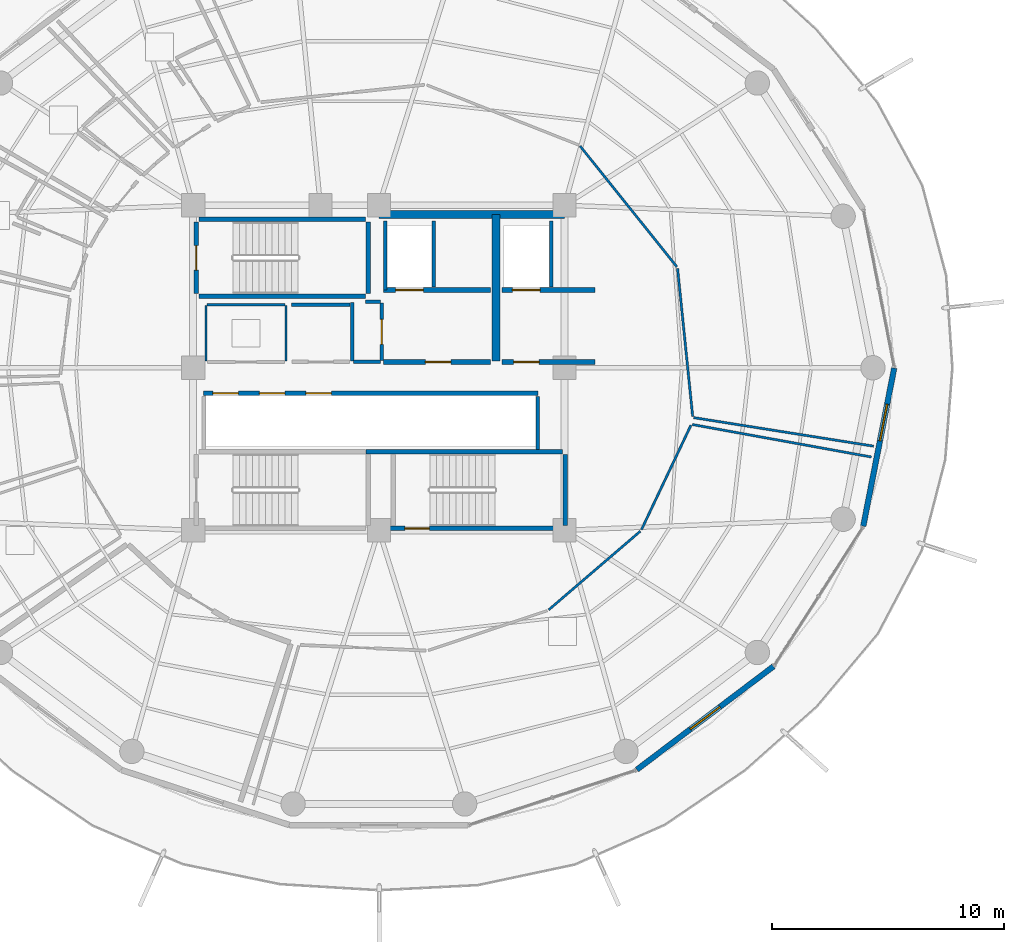
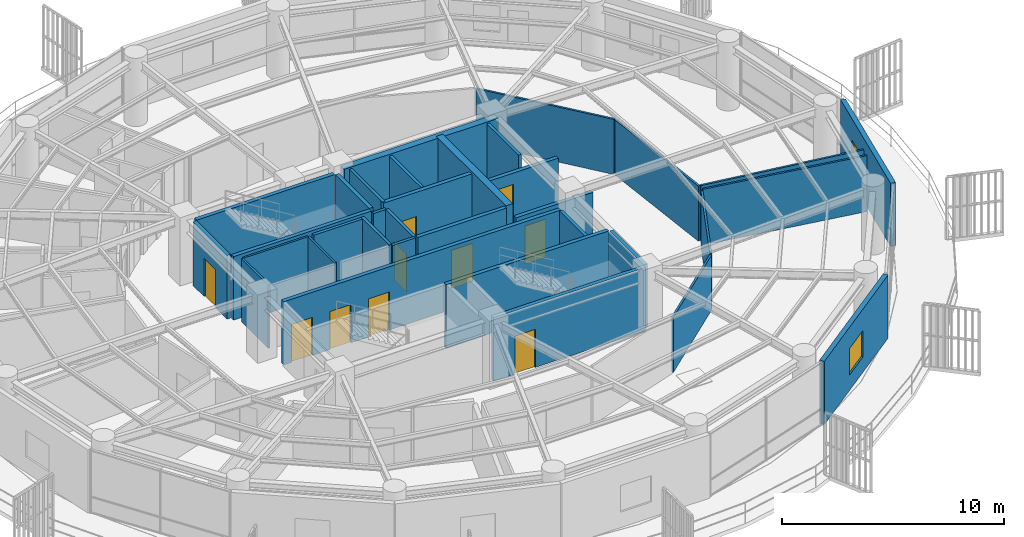
# One storey, part 25 of 31: 34 walls, 10 doors, 2 windows, 12 openings.
"""IFC4 building model written with IfcOpenShell, lengths in metres."""

import ifcopenshell
import ifcopenshell.guid

model = None  # the IFC model being written
_history = None  # IfcOwnerHistory: only IFC2X3 demands one
_inside = {}  # id of a spatial element -> (the spatial element, [elements in it])
_under = {}  # id of a project, library or spatial element -> (it, [spatial elements below it])
_declared = {}  # id of a project -> (the project, [libraries it declares])
_typed = {}  # id of a type object -> (the type object, [elements of that type])
_made_of = {}  # id of a material, layer set ... -> (it, [elements and type objects made of it])


def new_model(schema):
    """Start an empty IFC model of exactly this schema.

    Asked for "IFC4X3", IfcOpenShell would pick the latest addendum, in which some entities
    have other attributes; the version numbers below select the first issue.
    IFC2X3 requires an IfcOwnerHistory on every rooted entity: one is made here for all.
    """
    global model, _history
    if schema == "IFC4X3":
        model = ifcopenshell.file(schema_version=(4, 3, 0, 0))
    else:
        model = ifcopenshell.file(schema=schema)
    _inside.clear()
    _under.clear()
    _declared.clear()
    _typed.clear()
    _made_of.clear()
    _history = None
    if model.schema == "IFC2X3":
        org = make("IfcOrganization", Name="unknown")
        user = make(
            "IfcPersonAndOrganization",
            ThePerson=make("IfcPerson", FamilyName="unknown"),
            TheOrganization=org,
        )
        app = make(
            "IfcApplication",
            ApplicationDeveloper=org,
            Version="unknown",
            ApplicationFullName="unknown",
            ApplicationIdentifier="unknown",
        )
        _history = make(
            "IfcOwnerHistory",
            OwningUser=user,
            OwningApplication=app,
            ChangeAction="ADDED",
            CreationDate=0,
        )
    return model


def make(cls, **values):
    """One entity of the class cls with the attributes given. An attribute that is None is left unset."""
    return model.create_entity(
        cls, **{name: value for name, value in values.items() if value is not None}
    )


def rooted(cls, **values):
    """An entity with a GlobalId (a new one), such as an element, a storey or a relation."""
    return make(cls, GlobalId=ifcopenshell.guid.new(), OwnerHistory=_history, **values)


def si_unit(unit_type, name, prefix=None):
    """IfcSIUnit, for example si_unit("LENGTHUNIT", "METRE", prefix="MILLI")."""
    return make("IfcSIUnit", UnitType=unit_type, Prefix=prefix, Name=name)


def assignment(units):
    """IfcUnitAssignment: the units of a project."""
    return None if units is None else make("IfcUnitAssignment", Units=units)


def point(xyz):
    """IfcCartesianPoint."""
    return None if xyz is None else make("IfcCartesianPoint", Coordinates=xyz)


def direction(xyz):
    """IfcDirection."""
    return None if xyz is None else make("IfcDirection", DirectionRatios=xyz)


def frame(location, z_axis=None, x_axis=None):
    """IfcAxis2Placement3D, a coordinate frame: its origin and axes. An axis left out is left unset."""
    return make(
        "IfcAxis2Placement3D",
        Location=point(location),
        Axis=direction(z_axis),
        RefDirection=direction(x_axis),
    )


def frame_2d(location, x_axis=None):
    """IfcAxis2Placement2D, a coordinate frame in the plane: its origin and x axis."""
    return make(
        "IfcAxis2Placement2D", Location=point(location), RefDirection=direction(x_axis)
    )


def origin():
    """The frame at (0, 0, 0) with its axes left unset."""
    return frame((0.0, 0.0, 0.0))


def place(relative_to, where):
    """IfcLocalPlacement: puts the frame where relative to a parent placement (None: the world)."""
    return make(
        "IfcLocalPlacement", PlacementRelTo=relative_to, RelativePlacement=where
    )


def context(
    kind, dimensions, precision=None, world=None, true_north=None, identifier=None
):
    """IfcGeometricRepresentationContext, for example the 3D "Model" context."""
    return make(
        "IfcGeometricRepresentationContext",
        ContextIdentifier=identifier,
        ContextType=kind,
        CoordinateSpaceDimension=dimensions,
        Precision=precision,
        WorldCoordinateSystem=world,
        TrueNorth=true_north,
    )


def subcontext(parent, identifier, kind, view, scale=None):
    """IfcGeometricRepresentationSubContext, for example "Body" below "Model"."""
    return make(
        "IfcGeometricRepresentationSubContext",
        ContextIdentifier=identifier,
        ContextType=kind,
        ParentContext=parent,
        TargetScale=scale,
        TargetView=view,
    )


def project(units=None, contexts=None):
    """IfcProject with its units and contexts."""
    return rooted(
        "IfcProject",
        Name="project",
        RepresentationContexts=contexts,
        UnitsInContext=assignment(units),
    )


def spatial(cls, under=None, at=None, **own):
    """A site, building, storey or space (cls), placed at a placement, below another one or the project."""
    s = rooted(cls, ObjectPlacement=at, **own)
    if under is not None:
        _under.setdefault(under.id(), (under, []))[1].append(s)
    return s


def profile(cls, at=None, kind="AREA", **sizes):
    """A parametric profile (cls). Its sizes go by their IFC names, for example OverallWidth=200.0."""
    return make(cls, ProfileType=kind, Position=at, **sizes)


def rectangle(**sizes):
    """IfcRectangleProfileDef."""
    return profile("IfcRectangleProfileDef", **sizes)


def extrude(swept, where, along, depth):
    """IfcExtrudedAreaSolid: the profile swept, set in the frame where, extruded along a direction by depth."""
    return make(
        "IfcExtrudedAreaSolid",
        SweptArea=swept,
        Position=where,
        ExtrudedDirection=direction(along),
        Depth=depth,
    )


def shape(context_of_items, identifier, shape_type, items):
    """IfcShapeRepresentation: the items that make up one representation, for example the "Body"."""
    return make(
        "IfcShapeRepresentation",
        ContextOfItems=context_of_items,
        RepresentationIdentifier=identifier,
        RepresentationType=shape_type,
        Items=items,
    )


def material(Name=None, Category=None):
    """IfcMaterial."""
    return make("IfcMaterial", Name=Name, Category=Category)


def layer(
    of_material, thickness, ventilated=None, Name=None, Category=None, Priority=None
):
    """IfcMaterialLayer: one layer of a wall or slab, of a material (None: an air gap)."""
    return make(
        "IfcMaterialLayer",
        Material=of_material,
        LayerThickness=thickness,
        IsVentilated=ventilated,
        Name=Name,
        Category=Category,
        Priority=Priority,
    )


def layer_set(layers, Name=None):
    """IfcMaterialLayerSet."""
    return make("IfcMaterialLayerSet", MaterialLayers=layers, LayerSetName=Name)


def made_of(thing, what):
    """Note that an element or type object is made of a material, layer set ...; save() writes the relation."""
    if what is not None:
        _made_of.setdefault(what.id(), (what, []))[1].append(thing)
    return thing


def type_object(cls, material=None, **own):
    """A type object (cls), such as IfcWallType, which elements share."""
    return made_of(rooted(cls, **own), material)


def element(
    cls,
    number,
    at=None,
    inside=None,
    cuts=None,
    type_object=None,
    material=None,
    context=None,
    identifier="Body",
    shape_type=None,
    held_by="IfcProductDefinitionShape",
    body=None,
    shapes=None,
    **own,
):
    """One element of the class cls, such as IfcWall. Its Tag is "e" and its number.

    at: its placement. inside: the storey or other place that contains it. cuts: it is an
    opening in that element (IfcRelVoidsElement). A single representation is given by context,
    identifier, shape_type and body (its items); several are given by shapes. held_by: the class
    of the entity that holds the representations. save() writes the other relations.
    """
    e = rooted(cls, Tag="e%d" % number, ObjectPlacement=at, **own)
    if body is not None:
        shapes = [shape(context, identifier, shape_type, body)]
    if shapes is not None:
        e.Representation = make(held_by, Representations=shapes)
    if inside is not None:
        _inside.setdefault(inside.id(), (inside, []))[1].append(e)
    if cuts is not None:
        rooted(
            "IfcRelVoidsElement", RelatingBuildingElement=cuts, RelatedOpeningElement=e
        )
    if type_object is not None:
        _typed.setdefault(type_object.id(), (type_object, []))[1].append(e)
    return made_of(e, material)


def fill(opening, filler):
    """IfcRelFillsElement: the door or window that sits in an opening."""
    return rooted(
        "IfcRelFillsElement",
        RelatingOpeningElement=opening,
        RelatedBuildingElement=filler,
    )


def aggregate(whole, parts):
    """IfcRelAggregates: a whole, such as a stair, and the parts it consists of."""
    return rooted("IfcRelAggregates", RelatingObject=whole, RelatedObjects=parts)


def save(model, path):
    """Write the relations noted so far, then the file.

    IfcRelAggregates (storeys below a building ...), IfcRelContainedInSpatialStructure (elements
    in a storey), IfcRelDefinesByType, IfcRelAssociatesMaterial and IfcRelDeclares: one each for
    every whole, place, type object, material and project.
    """
    for whole, parts in _under.values():
        aggregate(whole, parts)
    for where, things in _inside.values():
        rooted(
            "IfcRelContainedInSpatialStructure",
            RelatedElements=things,
            RelatingStructure=where,
        )
    for kind, things in _typed.values():
        rooted("IfcRelDefinesByType", RelatedObjects=things, RelatingType=kind)
    for what, things in _made_of.values():
        rooted("IfcRelAssociatesMaterial", RelatedObjects=things, RelatingMaterial=what)
    for by, libraries in _declared.values():
        rooted("IfcRelDeclares", RelatingContext=by, RelatedDefinitions=libraries)
    model.write(path)


model = new_model("IFC4")

# Units and contexts
model_context = context("Model", 3, precision=1e-05, world=origin(), true_north=direction((0.0, 1.0)))
body_context = subcontext(model_context, "Body", "Model", "MODEL_VIEW")
ifc_project = project(units=[si_unit("LENGTHUNIT", "METRE"), si_unit("AREAUNIT", "SQUARE_METRE"), si_unit("VOLUMEUNIT", "CUBIC_METRE"), si_unit("PLANEANGLEUNIT", "RADIAN"), si_unit("MASSUNIT", "GRAM", prefix="KILO")], contexts=[model_context])

# Site, building, storey
site_placement = place(None, origin())
site = spatial("IfcSite", under=ifc_project, at=site_placement, CompositionType="ELEMENT")
building_placement = place(site_placement, origin())
building = spatial("IfcBuilding", under=site, at=building_placement, Name="Kelanora Arch Commons", CompositionType="ELEMENT")
storey_placement = place(building_placement, frame((0.0, 0.0, 226.949951171875)))
storey = spatial("IfcBuildingStorey", under=building, at=storey_placement, Name="L58", CompositionType="ELEMENT", Elevation=226.949951171875)

# Walls
ifc_material_1 = material(Name="Autoclaved aerated concrete blockwork with fire plaster", Category="masonry")
ifc_layer_1 = layer(ifc_material_1, 0.14990234375)
ifc_layer_set_1 = layer_set([ifc_layer_1], Name="Autoclaved aerated concrete blockwork with fire plaster")
wall_type_1 = type_object("IfcWallType", Name="W-COMP-150", PredefinedType="PARTITIONING", material=ifc_layer_set_1)
wall_1_placement = place(storey_placement, frame((74.280029296875, 61.35009765625, 0.0), z_axis=(0.0, 0.0, 1.0), x_axis=(0.0, 1.0, 0.0)))
element("IfcWall", 1, at=wall_1_placement, inside=storey, type_object=wall_type_1, Name="Firefighting Lift 1 West Shaft Wall L58", PredefinedType="PARTITIONING", context=body_context, shape_type="SweptSolid", body=[
    extrude(rectangle(XDim=2.969970703125, YDim=0.14990234375, at=frame_2d((1.48486328125, 0.0))), origin(), (0.0, 0.0, 1.0), 3.47998046875),
])
for number, where, z_axis, x_axis, name in (
    (2, (76.360107421875, 61.47998046875, 0.0), (0.0, 0.0, 1.0), (0.0, 1.0, 0.0), "Firefighting Lift 1 East Shaft Wall L58"),
    (3, (81.419921875, 61.47998046875, 0.0), (0.0, 0.0, 1.0), (0.0, 1.0, 0.0), "Firefighting Lift 2 East Shaft Wall L58"),
):
    element("IfcWall", number, at=place(storey_placement, frame(where, z_axis=z_axis, x_axis=x_axis)), inside=storey, type_object=wall_type_1, Name=name, PredefinedType="PARTITIONING", context=body_context, shape_type="SweptSolid", body=[
        extrude(rectangle(XDim=2.840087890625, YDim=0.14990234375, at=frame_2d((1.419921875, 0.0))), origin(), (0.0, 0.0, 1.0), 3.47998046875),
    ])
wall_2_placement = place(storey_placement, frame((80.840087890625, 54.47998046875, 0.0), z_axis=(0.0, 0.0, 1.0), x_axis=(0.0, 1.0, 0.0)))
element("IfcWall", 4, at=wall_2_placement, inside=storey, type_object=wall_type_1, Name="South Lift Bank East Wall L58", PredefinedType="PARTITIONING", context=body_context, shape_type="SweptSolid", body=[
    extrude(rectangle(XDim=2.2900390625, YDim=0.14990234375, at=frame_2d((1.14501953125, 0.0))), origin(), (0.0, 0.0, 1.0), 3.47998046875),
])

# Wall, opening, door
wall_3_placement = place(storey_placement, frame((74.1201171875, 58.31005859375, 0.0), z_axis=(0.0, 0.0, 1.0), x_axis=(0.0, 1.0, 0.0)))
wall_3 = element("IfcWall", 5, at=wall_3_placement, inside=storey, type_object=wall_type_1, Name="Core Linen Supply Store L58 Entry Partition", PredefinedType="PARTITIONING", context=body_context, shape_type="SweptSolid", body=[
    extrude(rectangle(XDim=2.47998046875, YDim=0.14990234375, at=frame_2d((1.239990234375, 0.0))), origin(), (0.0, 0.0, 1.0), 3.47998046875),
])
opening_1_placement = place(wall_3_placement, frame((0.699951171875, 0.0, 0.0)))
opening_1 = element("IfcOpeningElement", 6, at=opening_1_placement, cuts=wall_3, Name="Opening D-PLT1", PredefinedType="OPENING", context=body_context, shape_type="SweptSolid", body=[
    extrude(rectangle(XDim=1.080078125, YDim=2.10009765625, at=frame_2d((0.5400390625, 1.050048828125))), frame((0.0, 0.0849609375, 0.0), z_axis=(0.0, -1.0, 0.0), x_axis=(1.0, 0.0, 0.0)), (0.0, 0.0, 1.0), 0.169921875),
])
ifc_material_2 = material(Name="Galvanised steel plant and riser fire door", Category="steel")
door_type_1 = type_object("IfcDoorType", Name="D-PLT-110", OperationType="NOTDEFINED", PredefinedType="DOOR", material=ifc_material_2)
door_1_placement = place(opening_1_placement, origin())
door_1 = element("IfcDoor", 7, at=door_1_placement, inside=storey, type_object=door_type_1, Name="Core Linen Supply Store L58 Door", OperationType="SINGLE_SWING_RIGHT", OverallHeight=2.10009765625, OverallWidth=1.080078125, PredefinedType="DOOR", context=body_context, shape_type="SweptSolid", body=[
    extrude(rectangle(XDim=1.080078125, YDim=2.10009765625, at=frame_2d((0.5400390625, 1.050048828125))), frame((0.0, 0.02490234375, 0.0), z_axis=(0.0, -1.0, 0.0), x_axis=(1.0, 0.0, 0.0)), (0.0, 0.0, 1.0), 0.050048828125),
])
fill(opening_1, door_1)

# Walls
wall_4_placement = place(storey_placement, frame((72.89990234375, 58.25, 0.0), z_axis=(0.0, 0.0, 1.0), x_axis=(1.0, 0.0, 0.0)))
element("IfcWall", 8, at=wall_4_placement, inside=storey, type_object=wall_type_1, Name="Core Linen Supply Store L58 Enclosure Partition 1", PredefinedType="PARTITIONING", context=body_context, shape_type="SweptSolid", body=[
    extrude(rectangle(XDim=1.18017578125, YDim=0.14990234375, at=frame_2d((0.590087890625, 0.0))), origin(), (0.0, 0.0, 1.0), 3.47998046875),
])
wall_5_placement = place(storey_placement, frame((74.080078125, 60.85009765625, 0.0), z_axis=(0.0, 0.0, 1.0), x_axis=(-1.0, 0.0, 0.0)))
element("IfcWall", 9, at=wall_5_placement, inside=storey, type_object=wall_type_1, Name="Core Linen Supply Store L58 Enclosure Partition 3", PredefinedType="PARTITIONING", context=body_context, shape_type="SweptSolid", body=[
    extrude(rectangle(XDim=0.66015625, YDim=0.14990234375, at=frame_2d((0.330078125, 0.0))), origin(), (0.0, 0.0, 1.0), 3.47998046875),
])
for number, where, z_axis, x_axis, name in (
    (10, (72.860107421875, 60.81005859375, 0.0), (0.0, 0.0, 1.0), (0.0, -1.0, 0.0), "Core Linen Supply Store L58 Enclosure Partition 4"),
    (11, (72.760009765625, 60.719970703125, 0.0), (0.0, 0.0, 1.0), (-1.0, 0.0, 0.0), "Reclaimed Core Linen Store L58 Enclosure Partition 3"),
):
    element("IfcWall", number, at=place(storey_placement, frame(where, z_axis=z_axis, x_axis=x_axis)), inside=storey, type_object=wall_type_1, Name=name, PredefinedType="PARTITIONING", context=body_context, shape_type="SweptSolid", body=[
        extrude(rectangle(XDim=2.52001953125, YDim=0.14990234375, at=frame_2d((1.260009765625, 0.0))), origin(), (0.0, 0.0, 1.0), 3.47998046875),
    ])
ifc_material_3 = material(Name="Concrete C50/60", Category="concrete")
ifc_layer_2 = layer(ifc_material_3, 0.35009765625)
ifc_layer_set_2 = layer_set([ifc_layer_2], Name="Concrete C50/60")
wall_type_2 = type_object("IfcWallType", Name="W-CORE-350", PredefinedType="SHEAR", material=ifc_layer_set_2)
wall_6_placement = place(storey_placement, frame((74.0, 64.60009765625, 0.0), z_axis=(0.0, 0.0, 1.0), x_axis=(1.0, 0.0, 0.0)))
element("IfcWall", 12, at=wall_6_placement, inside=storey, type_object=wall_type_2, Name="Core Shear Spine L58-CN-E", PredefinedType="SHEAR", context=body_context, shape_type="SweptSolid", body=[
    extrude(rectangle(XDim=8.0, YDim=0.35009765625, at=frame_2d((4.0, 0.0))), origin(), (0.0, 0.0, 1.0), 3.489990234375),
])
wall_7_placement = place(storey_placement, frame((79.050048828125, 58.300048828125, 0.0), z_axis=(0.0, 0.0, 1.0), x_axis=(0.0, 1.0, 0.0)))
element("IfcWall", 13, at=wall_7_placement, inside=storey, type_object=wall_type_2, Name="Core Shear Spine L58-CE-N", PredefinedType="SHEAR", context=body_context, shape_type="SweptSolid", body=[
    extrude(rectangle(XDim=6.300048828125, YDim=0.35009765625, at=frame_2d((3.14990234375, 0.0))), origin(), (0.0, 0.0, 1.0), 3.489990234375),
])

# Wall, opening, window
ifc_material_4 = material(Name="Precast concrete C40/50 upper-zone terracotta rainscreen", Category="masonry")
ifc_layer_3 = layer(ifc_material_4, 0.239990234375)
ifc_layer_set_3 = layer_set([ifc_layer_3], Name="Precast concrete C40/50 upper-zone terracotta rainscreen")
wall_type_3 = type_object("IfcWallType", Name="W-EXT-TC2", PredefinedType="SOLIDWALL", material=ifc_layer_set_3)
wall_8_placement = place(storey_placement, frame((85.112060546875, 40.6884765625, 0.0), z_axis=(0.0, 0.0, 1.0), x_axis=(0.797701674595, 0.603052268338, 0.0)))
wall_8 = element("IfcWall", 14, at=wall_8_placement, inside=storey, type_object=wall_type_3, Name="Terracotta Exterior Wall L58-B15", PredefinedType="SOLIDWALL", context=body_context, shape_type="SweptSolid", body=[
    extrude(rectangle(XDim=7.373779296875, YDim=0.239990234375, at=frame_2d((3.68701171875, 0.0))), origin(), (0.0, 0.0, 1.0), 3.47509765625),
])
opening_2_placement = place(wall_8_placement, frame((2.886962890625, 0.0, 0.85009765625)))
opening_2 = element("IfcOpeningElement", 15, at=opening_2_placement, cuts=wall_8, Name="Opening WN-01", PredefinedType="OPENING", context=body_context, shape_type="SweptSolid", body=[
    extrude(rectangle(XDim=1.60009765625, YDim=1.449951171875, at=frame_2d((0.800048828125, 0.72509765625))), frame((0.0, 0.1298828125, 0.0), z_axis=(0.0, -1.0, 0.0), x_axis=(1.0, 0.0, 0.0)), (0.0, 0.0, 1.0), 0.260009765625),
])
ifc_material_5 = material(Name="Terracotta-anodised aluminium frame with operable low-E glazing", Category="masonry")
window_type = type_object("IfcWindowType", Name="WIN-CL-18", PartitioningType="DOUBLE_PANEL_VERTICAL", PredefinedType="WINDOW", material=ifc_material_5)
window_1_placement = place(opening_2_placement, origin())
window_1 = element("IfcWindow", 16, at=window_1_placement, inside=storey, type_object=window_type, Name="Co-Living Operable Window L58-B15", OverallHeight=1.449951171875, OverallWidth=1.60009765625, PartitioningType="SINGLE_PANEL", PredefinedType="WINDOW", context=body_context, shape_type="SweptSolid", body=[
    extrude(rectangle(XDim=1.60009765625, YDim=1.449951171875, at=frame_2d((0.800048828125, 0.72509765625))), frame((0.0, 0.030029296875, 0.0), z_axis=(0.0, -1.0, 0.0), x_axis=(1.0, 0.0, 0.0)), (0.0, 0.0, 1.0), 0.06005859375),
])
fill(opening_2, window_1)

wall_9_placement = place(storey_placement, frame((94.864013671875, 51.17431640625, 0.0), z_axis=(0.0, 0.0, 1.0), x_axis=(0.192069055673, 0.981381413036, 0.0)))
wall_9 = element("IfcWall", 17, at=wall_9_placement, inside=storey, type_object=wall_type_3, Name="Terracotta Exterior Wall L58-B17", PredefinedType="SOLIDWALL", context=body_context, shape_type="SweptSolid", body=[
    extrude(rectangle(XDim=6.940185546875, YDim=0.239990234375, at=frame_2d((3.47021484375, 0.0))), origin(), (0.0, 0.0, 1.0), 3.47509765625),
])
opening_3_placement = place(wall_9_placement, frame((3.75, 0.0, 0.85009765625)))
opening_3 = element("IfcOpeningElement", 18, at=opening_3_placement, cuts=wall_9, Name="Opening WN-01", PredefinedType="OPENING", context=body_context, shape_type="SweptSolid", body=[
    extrude(rectangle(XDim=1.60009765625, YDim=1.449951171875, at=frame_2d((0.800048828125, 0.72509765625))), frame((0.0, 0.1298828125, 0.0), z_axis=(0.0, -1.0, 0.0), x_axis=(1.0, 0.0, 0.0)), (0.0, 0.0, 1.0), 0.260009765625),
])
window_2_placement = place(opening_3_placement, origin())
window_2 = element("IfcWindow", 19, at=window_2_placement, inside=storey, type_object=window_type, Name="Co-Living Operable Window L58-B17", OverallHeight=1.449951171875, OverallWidth=1.60009765625, PartitioningType="SINGLE_PANEL", PredefinedType="WINDOW", context=body_context, shape_type="SweptSolid", body=[
    extrude(rectangle(XDim=1.60009765625, YDim=1.449951171875, at=frame_2d((0.800048828125, 0.72509765625))), frame((0.0, 0.030029296875, 0.0), z_axis=(0.0, -1.0, 0.0), x_axis=(1.0, 0.0, 0.0)), (0.0, 0.0, 1.0), 0.06005859375),
])
fill(opening_3, window_2)

# Wall, opening, door
ifc_material_6 = material(Name="Concrete C40/50", Category="concrete")
ifc_layer_4 = layer(ifc_material_6, 0.199951171875)
ifc_layer_set_4 = layer_set([ifc_layer_4], Name="Concrete C40/50")
wall_type_4 = type_object("IfcWallType", Name="W-FFL-200", PredefinedType="SOLIDWALL", material=ifc_layer_set_4)
wall_10_placement = place(storey_placement, frame((74.199951171875, 61.35009765625, 0.0), z_axis=(0.0, 0.0, 1.0), x_axis=(1.0, 0.0, 0.0)))
wall_10 = element("IfcWall", 20, at=wall_10_placement, inside=storey, type_object=wall_type_4, Name="Firefighting Lift 1 Shaft Front L58", PredefinedType="SOLIDWALL", context=body_context, shape_type="SweptSolid", body=[
    extrude(rectangle(XDim=4.60009765625, YDim=0.199951171875, at=frame_2d((2.300048828125, 0.0))), origin(), (0.0, 0.0, 1.0), 3.47998046875),
])
opening_4_placement = place(wall_10_placement, frame((0.52001953125, 0.0, 0.0)))
opening_4 = element("IfcOpeningElement", 21, at=opening_4_placement, cuts=wall_10, Name="Opening LD-FF", PredefinedType="OPENING", context=body_context, shape_type="SweptSolid", body=[
    extrude(rectangle(XDim=1.199951171875, YDim=2.14990234375, at=frame_2d((0.60009765625, 1.074951171875))), frame((0.0, 0.10986328125, 0.0), z_axis=(0.0, -1.0, 0.0), x_axis=(1.0, 0.0, 0.0)), (0.0, 0.0, 1.0), 0.219970703125),
])
ifc_material_7 = material(Name="Fire-rated firefighters lift sliding landing door")
door_type_2 = type_object("IfcDoorType", Name="D-LIFT-FF", OperationType="NOTDEFINED", PredefinedType="DOOR", material=ifc_material_7)
door_2_placement = place(opening_4_placement, origin())
door_2 = element("IfcDoor", 22, at=door_2_placement, inside=storey, type_object=door_type_2, Name="Firefighting Lift LF-FF1 Landing Door L58", OperationType="DOUBLE_DOOR_SLIDING", OverallHeight=2.14990234375, OverallWidth=1.199951171875, PredefinedType="DOOR", context=body_context, shape_type="SweptSolid", body=[
    extrude(rectangle(XDim=1.199951171875, YDim=2.14990234375, at=frame_2d((0.60009765625, 1.074951171875))), frame((0.0, 0.02490234375, 0.0), z_axis=(0.0, -1.0, 0.0), x_axis=(1.0, 0.0, 0.0)), (0.0, 0.0, 1.0), 0.050048828125),
])
fill(opening_4, door_2)

wall_11_placement = place(storey_placement, frame((79.300048828125, 61.35009765625, 0.0), z_axis=(0.0, 0.0, 1.0), x_axis=(1.0, 0.0, 0.0)))
wall_11 = element("IfcWall", 23, at=wall_11_placement, inside=storey, type_object=wall_type_4, Name="Firefighting Lift 2 Shaft Front L58", PredefinedType="SOLIDWALL", context=body_context, shape_type="SweptSolid", body=[
    extrude(rectangle(XDim=4.0, YDim=0.199951171875, at=frame_2d((2.0, 0.0))), origin(), (0.0, 0.0, 1.0), 2.775146484375),
])
opening_5_placement = place(wall_11_placement, frame((0.449951171875, 0.0, 0.0)))
opening_5 = element("IfcOpeningElement", 24, at=opening_5_placement, cuts=wall_11, Name="Opening LD-FF", PredefinedType="OPENING", context=body_context, shape_type="SweptSolid", body=[
    extrude(rectangle(XDim=1.199951171875, YDim=2.14990234375, at=frame_2d((0.60009765625, 1.074951171875))), frame((0.0, 0.10986328125, 0.0), z_axis=(0.0, -1.0, 0.0), x_axis=(1.0, 0.0, 0.0)), (0.0, 0.0, 1.0), 0.219970703125),
])
door_3_placement = place(opening_5_placement, origin())
door_3 = element("IfcDoor", 25, at=door_3_placement, inside=storey, type_object=door_type_2, Name="Firefighting Lift LF-FF2 Landing Door L58", OperationType="DOUBLE_DOOR_SLIDING", OverallHeight=2.14990234375, OverallWidth=1.199951171875, PredefinedType="DOOR", context=body_context, shape_type="SweptSolid", body=[
    extrude(rectangle(XDim=1.199951171875, YDim=2.14990234375, at=frame_2d((0.60009765625, 1.074951171875))), frame((0.0, 0.02490234375, 0.0), z_axis=(0.0, -1.0, 0.0), x_axis=(1.0, 0.0, 0.0)), (0.0, 0.0, 1.0), 0.050048828125),
])
fill(opening_5, door_3)

wall_12_placement = place(storey_placement, frame((74.199951171875, 58.25, 0.0), z_axis=(0.0, 0.0, 1.0), x_axis=(1.0, 0.0, 0.0)))
wall_12 = element("IfcWall", 26, at=wall_12_placement, inside=storey, type_object=wall_type_4, Name="Firefighting Lobby 1 Enclosure Wall L58", PredefinedType="SOLIDWALL", context=body_context, shape_type="SweptSolid", body=[
    extrude(rectangle(XDim=4.60009765625, YDim=0.199951171875, at=frame_2d((2.300048828125, 0.0))), origin(), (0.0, 0.0, 1.0), 3.47998046875),
])
opening_6_placement = place(wall_12_placement, frame((1.800048828125, 0.0, 0.0)))
opening_6 = element("IfcOpeningElement", 27, at=opening_6_placement, cuts=wall_12, Name="Opening D-FFL1", PredefinedType="OPENING", context=body_context, shape_type="SweptSolid", body=[
    extrude(rectangle(XDim=1.10009765625, YDim=2.10009765625, at=frame_2d((0.550048828125, 1.050048828125))), frame((0.0, 0.10986328125, 0.0), z_axis=(0.0, -1.0, 0.0), x_axis=(1.0, 0.0, 0.0)), (0.0, 0.0, 1.0), 0.219970703125),
])
ifc_material_8 = material(Name="Smoke-sealed firefighting lobby fire door")
door_type_3 = type_object("IfcDoorType", Name="D-FFL-110", OperationType="NOTDEFINED", PredefinedType="DOOR", material=ifc_material_8)
door_4_placement = place(opening_6_placement, frame((1.10009765625, 0.0, 0.0), z_axis=(0.0, 0.0, 1.0), x_axis=(-1.0, 0.0, 0.0)))
door_4 = element("IfcDoor", 28, at=door_4_placement, inside=storey, type_object=door_type_3, Name="Firefighting Lobby 1 Door L58", OperationType="SINGLE_SWING_LEFT", OverallHeight=2.10009765625, OverallWidth=1.10009765625, PredefinedType="DOOR", context=body_context, shape_type="SweptSolid", body=[
    extrude(rectangle(XDim=1.10009765625, YDim=2.10009765625, at=frame_2d((0.550048828125, 1.050048828125))), frame((0.0, 0.02490234375, 0.0), z_axis=(0.0, -1.0, 0.0), x_axis=(1.0, 0.0, 0.0)), (0.0, 0.0, 1.0), 0.050048828125),
])
fill(opening_6, door_4)

wall_13_placement = place(storey_placement, frame((79.300048828125, 58.25, 0.0), z_axis=(0.0, 0.0, 1.0), x_axis=(1.0, 0.0, 0.0)))
wall_13 = element("IfcWall", 29, at=wall_13_placement, inside=storey, type_object=wall_type_4, Name="Firefighting Lobby 2 Enclosure Wall L58", PredefinedType="SOLIDWALL", context=body_context, shape_type="SweptSolid", body=[
    extrude(rectangle(XDim=4.0, YDim=0.199951171875, at=frame_2d((2.0, 0.0))), origin(), (0.0, 0.0, 1.0), 2.775146484375),
])
opening_7_placement = place(wall_13_placement, frame((0.5, 0.0, 0.0)))
opening_7 = element("IfcOpeningElement", 30, at=opening_7_placement, cuts=wall_13, Name="Opening D-FFL1", PredefinedType="OPENING", context=body_context, shape_type="SweptSolid", body=[
    extrude(rectangle(XDim=1.10009765625, YDim=2.10009765625, at=frame_2d((0.550048828125, 1.050048828125))), frame((0.0, 0.10986328125, 0.0), z_axis=(0.0, -1.0, 0.0), x_axis=(1.0, 0.0, 0.0)), (0.0, 0.0, 1.0), 0.219970703125),
])
door_5_placement = place(opening_7_placement, frame((1.10009765625, 0.0, 0.0), z_axis=(0.0, 0.0, 1.0), x_axis=(-1.0, 0.0, 0.0)))
door_5 = element("IfcDoor", 31, at=door_5_placement, inside=storey, type_object=door_type_3, Name="Firefighting Lobby 2 Door L58", OperationType="SINGLE_SWING_RIGHT", OverallHeight=2.10009765625, OverallWidth=1.10009765625, PredefinedType="DOOR", context=body_context, shape_type="SweptSolid", body=[
    extrude(rectangle(XDim=1.10009765625, YDim=2.10009765625, at=frame_2d((0.550048828125, 1.050048828125))), frame((0.0, 0.02490234375, 0.0), z_axis=(0.0, -1.0, 0.0), x_axis=(1.0, 0.0, 0.0)), (0.0, 0.0, 1.0), 0.050048828125),
])
fill(opening_7, door_5)

# Wall, openings, doors
wall_14_placement = place(storey_placement, frame((66.449951171875, 56.89990234375, 0.0), z_axis=(0.0, 0.0, 1.0), x_axis=(1.0, 0.0, 0.0)))
wall_14 = element("IfcWall", 32, at=wall_14_placement, inside=storey, type_object=wall_type_4, Name="Mid/High/Express Lift Shaft Front L58", PredefinedType="SOLIDWALL", context=body_context, shape_type="SweptSolid", body=[
    extrude(rectangle(XDim=14.400146484375, YDim=0.199951171875, at=frame_2d((7.2001953125, 0.0))), origin(), (0.0, 0.0, 1.0), 3.47998046875),
])
opening_8_placement = place(wall_14_placement, frame((0.39990234375, 0.0, 0.0)))
opening_8 = element("IfcOpeningElement", 33, at=opening_8_placement, cuts=wall_14, Name="Opening LD-01", PredefinedType="OPENING", context=body_context, shape_type="SweptSolid", body=[
    extrude(rectangle(XDim=1.10009765625, YDim=2.10009765625, at=frame_2d((0.550048828125, 1.050048828125))), frame((0.0, 0.10986328125, 0.0), z_axis=(0.0, -1.0, 0.0), x_axis=(1.0, 0.0, 0.0)), (0.0, 0.0, 1.0), 0.219970703125),
])
opening_9_placement = place(wall_14_placement, frame((2.39990234375, 0.0, 0.0)))
opening_9 = element("IfcOpeningElement", 34, at=opening_9_placement, cuts=wall_14, Name="Opening LD-01", PredefinedType="OPENING", context=body_context, shape_type="SweptSolid", body=[
    extrude(rectangle(XDim=1.10009765625, YDim=2.10009765625, at=frame_2d((0.550048828125, 1.050048828125))), frame((0.0, 0.10986328125, 0.0), z_axis=(0.0, -1.0, 0.0), x_axis=(1.0, 0.0, 0.0)), (0.0, 0.0, 1.0), 0.219970703125),
])
opening_10_placement = place(wall_14_placement, frame((4.39990234375, 0.0, 0.0)))
opening_10 = element("IfcOpeningElement", 35, at=opening_10_placement, cuts=wall_14, Name="Opening LD-01", PredefinedType="OPENING", context=body_context, shape_type="SweptSolid", body=[
    extrude(rectangle(XDim=1.10009765625, YDim=2.10009765625, at=frame_2d((0.550048828125, 1.050048828125))), frame((0.0, 0.10986328125, 0.0), z_axis=(0.0, -1.0, 0.0), x_axis=(1.0, 0.0, 0.0)), (0.0, 0.0, 1.0), 0.219970703125),
])
ifc_material_9 = material(Name="Stainless steel passenger lift sliding landing door", Category="steel")
door_type_4 = type_object("IfcDoorType", Name="D-LIFT-110", OperationType="NOTDEFINED", PredefinedType="DOOR", material=ifc_material_9)
door_6_placement = place(opening_8_placement, origin())
door_6 = element("IfcDoor", 36, at=door_6_placement, inside=storey, type_object=door_type_4, Name="Passenger Lift LF-P4 Landing Door L58", OperationType="DOUBLE_DOOR_SLIDING", OverallHeight=2.10009765625, OverallWidth=1.10009765625, PredefinedType="DOOR", context=body_context, shape_type="SweptSolid", body=[
    extrude(rectangle(XDim=1.10009765625, YDim=2.10009765625, at=frame_2d((0.550048828125, 1.050048828125))), frame((0.0, 0.02490234375, 0.0), z_axis=(0.0, -1.0, 0.0), x_axis=(1.0, 0.0, 0.0)), (0.0, 0.0, 1.0), 0.050048828125),
])
fill(opening_8, door_6)
door_7_placement = place(opening_9_placement, origin())
door_7 = element("IfcDoor", 37, at=door_7_placement, inside=storey, type_object=door_type_4, Name="Passenger Lift LF-P5 Landing Door L58", OperationType="DOUBLE_DOOR_SLIDING", OverallHeight=2.10009765625, OverallWidth=1.10009765625, PredefinedType="DOOR", context=body_context, shape_type="SweptSolid", body=[
    extrude(rectangle(XDim=1.10009765625, YDim=2.10009765625, at=frame_2d((0.550048828125, 1.050048828125))), frame((0.0, 0.02490234375, 0.0), z_axis=(0.0, -1.0, 0.0), x_axis=(1.0, 0.0, 0.0)), (0.0, 0.0, 1.0), 0.050048828125),
])
fill(opening_9, door_7)
door_8_placement = place(opening_10_placement, origin())
door_8 = element("IfcDoor", 38, at=door_8_placement, inside=storey, type_object=door_type_4, Name="Passenger Lift LF-P6 Landing Door L58", OperationType="DOUBLE_DOOR_SLIDING", OverallHeight=2.10009765625, OverallWidth=1.10009765625, PredefinedType="DOOR", context=body_context, shape_type="SweptSolid", body=[
    extrude(rectangle(XDim=1.10009765625, YDim=2.10009765625, at=frame_2d((0.550048828125, 1.050048828125))), frame((0.0, 0.02490234375, 0.0), z_axis=(0.0, -1.0, 0.0), x_axis=(1.0, 0.0, 0.0)), (0.0, 0.0, 1.0), 0.050048828125),
])
fill(opening_10, door_8)

# Walls
ifc_material_10 = material(Name="Lightweight fire-rated acoustic stud partition")
ifc_layer_5 = layer(ifc_material_10, 0.10009765625)
ifc_layer_set_5 = layer_set([ifc_layer_5], Name="Lightweight fire-rated acoustic stud partition")
wall_type_5 = type_object("IfcWallType", Name="W-PART-100", PredefinedType="PARTITIONING", material=ifc_layer_set_5)
wall_15_placement = place(storey_placement, frame((70.0, 58.2900390625, 0.0), z_axis=(0.0, 0.0, 1.0), x_axis=(0.0, 1.0, 0.0)))
element("IfcWall", 39, at=wall_15_placement, inside=storey, type_object=wall_type_5, Name="Reclaimed Core Quiet Phone Booths L58 Enclosure Partition 2", PredefinedType="PARTITIONING", context=body_context, shape_type="SweptSolid", body=[
    extrude(rectangle(XDim=2.389892578125, YDim=0.10009765625, at=frame_2d((1.19482421875, 0.0))), origin(), (0.0, 0.0, 1.0), 3.47998046875),
])
wall_16_placement = place(storey_placement, frame((69.9599609375, 60.719970703125, 0.0), z_axis=(0.0, 0.0, 1.0), x_axis=(-1.0, 0.0, 0.0)))
element("IfcWall", 40, at=wall_16_placement, inside=storey, type_object=wall_type_5, Name="Reclaimed Core Quiet Phone Booths L58 Enclosure Partition 3", PredefinedType="PARTITIONING", context=body_context, shape_type="SweptSolid", body=[
    extrude(rectangle(XDim=3.369873046875, YDim=0.10009765625, at=frame_2d((1.68505859375, 0.0))), origin(), (0.0, 0.0, 1.0), 3.47998046875),
])
wall_17_placement = place(storey_placement, frame((66.550048828125, 60.679931640625, 0.0), z_axis=(0.0, 0.0, 1.0), x_axis=(0.0, -1.0, 0.0)))
element("IfcWall", 41, at=wall_17_placement, inside=storey, type_object=wall_type_5, Name="Reclaimed Core Quiet Phone Booths L58 Enclosure Partition 4", PredefinedType="PARTITIONING", context=body_context, shape_type="SweptSolid", body=[
    extrude(rectangle(XDim=2.389892578125, YDim=0.10009765625, at=frame_2d((1.19482421875, 0.0))), origin(), (0.0, 0.0, 1.0), 3.47998046875),
])
wall_18_placement = place(storey_placement, frame((81.31640625, 47.574951171875, 0.0), z_axis=(0.0, 0.0, 1.0), x_axis=(0.758934846266, 0.651166567879, 0.0)))
element("IfcWall", 42, at=wall_18_placement, inside=storey, type_object=wall_type_5, Name="South-East Social Sky Lounge L58 Enclosure Partition 3", PredefinedType="PARTITIONING", context=body_context, shape_type="SweptSolid", body=[
    extrude(rectangle(XDim=5.19677734375, YDim=0.10009765625, at=frame_2d((2.598388671875, 0.0))), origin(), (0.0, 0.0, 1.0), 3.025146484375),
])
wall_19_placement = place(storey_placement, frame((85.30810546875, 51.021240234375, 0.0), z_axis=(0.0, 0.0, 1.0), x_axis=(0.428012664174, 0.903772736537, 0.0)))
element("IfcWall", 43, at=wall_19_placement, inside=storey, type_object=wall_type_5, Name="South-East Social Sky Lounge L58 Enclosure Partition 4", PredefinedType="PARTITIONING", context=body_context, shape_type="SweptSolid", body=[
    extrude(rectangle(XDim=4.9853515625, YDim=0.10009765625, at=frame_2d((2.49267578125, 0.0))), origin(), (0.0, 0.0, 1.0), 3.025146484375),
])
wall_20_placement = place(storey_placement, frame((87.498291015625, 55.555908203125, 0.0), z_axis=(0.0, 0.0, 1.0), x_axis=(0.983952512008, -0.178430530217, 0.0)))
element("IfcWall", 44, at=wall_20_placement, inside=storey, type_object=wall_type_5, Name="South-East Social Sky Lounge L58 Enclosure Partition 5", PredefinedType="PARTITIONING", context=body_context, shape_type="SweptSolid", body=[
    extrude(rectangle(XDim=7.840087890625, YDim=0.10009765625, at=frame_2d((3.919921875, 0.0))), origin(), (0.0, 0.0, 1.0), 3.074951171875),
])
wall_21_placement = place(storey_placement, frame((87.516845703125, 55.898681640625, 0.0), z_axis=(0.0, 0.0, 1.0), x_axis=(-0.101648252044, 0.994820402312, 0.0)))
element("IfcWall", 45, at=wall_21_placement, inside=storey, type_object=wall_type_5, Name="North-East Quiet Study Commons L58 Enclosure Partition 1", PredefinedType="PARTITIONING", context=body_context, shape_type="SweptSolid", body=[
    extrude(rectangle(XDim=6.412841796875, YDim=0.10009765625, at=frame_2d((3.20654296875, 0.0))), origin(), (0.0, 0.0, 1.0), 3.025146484375),
])
wall_22_placement = place(storey_placement, frame((86.8359375, 62.34912109375, 0.0), z_axis=(0.0, 0.0, 1.0), x_axis=(-0.625480735322, 0.780239610467, 0.0)))
element("IfcWall", 46, at=wall_22_placement, inside=storey, type_object=wall_type_5, Name="North-East Quiet Study Commons L58 Enclosure Partition 2", PredefinedType="PARTITIONING", context=body_context, shape_type="SweptSolid", body=[
    extrude(rectangle(XDim=6.666748046875, YDim=0.10009765625, at=frame_2d((3.33349609375, 0.0))), origin(), (0.0, 0.0, 1.0), 3.025146484375),
])
wall_23_placement = place(storey_placement, frame((95.3115234375, 54.623291015625, 0.0), z_axis=(0.0, 0.0, 1.0), x_axis=(-0.987651731417, 0.156665431505, 0.0)))
element("IfcWall", 47, at=wall_23_placement, inside=storey, type_object=wall_type_5, Name="North-East Quiet Study Commons L58 Enclosure Partition 10", PredefinedType="PARTITIONING", context=body_context, shape_type="SweptSolid", body=[
    extrude(rectangle(XDim=7.847900390625, YDim=0.10009765625, at=frame_2d((3.923828125, 0.0))), origin(), (0.0, 0.0, 1.0), 3.074951171875),
])
ifc_layer_6 = layer(ifc_material_6, 0.199951171875)
ifc_layer_set_6 = layer_set([ifc_layer_6], Name="Concrete C40/50")
wall_type_6 = type_object("IfcWallType", Name="W-STAIR-200", PredefinedType="SHEAR", material=ifc_layer_set_6)
wall_24_placement = place(storey_placement, frame((66.260009765625, 61.080078125, 0.0), z_axis=(0.0, 0.0, 1.0), x_axis=(1.0, 0.0, 0.0)))
element("IfcWall", 48, at=wall_24_placement, inside=storey, type_object=wall_type_6, Name="Stair ST-T1 Shaft Wall S L58", PredefinedType="SHEAR", context=body_context, shape_type="SweptSolid", body=[
    extrude(rectangle(XDim=7.159912109375, YDim=0.199951171875, at=frame_2d((3.580078125, 0.0))), origin(), (0.0, 0.0, 1.0), 3.489990234375),
])
wall_25_placement = place(storey_placement, frame((73.5400390625, 61.199951171875, 0.0), z_axis=(0.0, 0.0, 1.0), x_axis=(0.0, 1.0, 0.0)))
element("IfcWall", 49, at=wall_25_placement, inside=storey, type_object=wall_type_6, Name="Stair ST-T1 Shaft Wall E L58", PredefinedType="SHEAR", context=body_context, shape_type="SweptSolid", body=[
    extrude(rectangle(XDim=3.070068359375, YDim=0.199951171875, at=frame_2d((1.53515625, 0.0))), origin(), (0.0, 0.0, 1.0), 3.489990234375),
])
wall_26_placement = place(storey_placement, frame((73.419921875, 64.389892578125, 0.0), z_axis=(0.0, 0.0, 1.0), x_axis=(-1.0, 0.0, 0.0)))
element("IfcWall", 50, at=wall_26_placement, inside=storey, type_object=wall_type_6, Name="Stair ST-T1 Shaft Wall N L58", PredefinedType="SHEAR", context=body_context, shape_type="SweptSolid", body=[
    extrude(rectangle(XDim=7.159912109375, YDim=0.199951171875, at=frame_2d((3.580078125, 0.0))), origin(), (0.0, 0.0, 1.0), 3.489990234375),
])

# Wall, opening, door
wall_27_placement = place(storey_placement, frame((66.139892578125, 64.27001953125, 0.0), z_axis=(0.0, 0.0, 1.0), x_axis=(0.0, -1.0, 0.0)))
wall_27 = element("IfcWall", 51, at=wall_27_placement, inside=storey, type_object=wall_type_6, Name="Stair ST-T1 Shaft Wall W L58", PredefinedType="SHEAR", context=body_context, shape_type="SweptSolid", body=[
    extrude(rectangle(XDim=3.070068359375, YDim=0.199951171875, at=frame_2d((1.53515625, 0.0))), origin(), (0.0, 0.0, 1.0), 3.489990234375),
])
opening_11_placement = place(wall_27_placement, frame((1.010009765625, 0.0, 0.0)))
opening_11 = element("IfcOpeningElement", 52, at=opening_11_placement, cuts=wall_27, Name="Opening D-ST1", PredefinedType="OPENING", context=body_context, shape_type="SweptSolid", body=[
    extrude(rectangle(XDim=1.050048828125, YDim=2.10009765625, at=frame_2d((0.52490234375, 1.050048828125))), frame((0.0, 0.10986328125, 0.0), z_axis=(0.0, -1.0, 0.0), x_axis=(1.0, 0.0, 0.0)), (0.0, 0.0, 1.0), 0.219970703125),
])
ifc_material_11 = material(Name="Steel fire-rated stairwell escape door", Category="steel")
door_type_5 = type_object("IfcDoorType", Name="D-STAIR-110", OperationType="NOTDEFINED", PredefinedType="DOOR", material=ifc_material_11)
door_9_placement = place(opening_11_placement, origin())
door_9 = element("IfcDoor", 53, at=door_9_placement, inside=storey, type_object=door_type_5, Name="Stair ST-T1 Escape Door L58", OperationType="SINGLE_SWING_LEFT", OverallHeight=2.10009765625, OverallWidth=1.050048828125, PredefinedType="DOOR", context=body_context, shape_type="SweptSolid", body=[
    extrude(rectangle(XDim=1.050048828125, YDim=2.10009765625, at=frame_2d((0.52490234375, 1.050048828125))), frame((0.0, 0.02490234375, 0.0), z_axis=(0.0, -1.0, 0.0), x_axis=(1.0, 0.0, 0.0)), (0.0, 0.0, 1.0), 0.050048828125),
])
fill(opening_11, door_9)

wall_28_placement = place(storey_placement, frame((74.0, 51.080078125, 0.0), z_axis=(0.0, 0.0, 1.0), x_axis=(1.0, 0.0, 0.0)))
wall_28 = element("IfcWall", 54, at=wall_28_placement, inside=storey, type_object=wall_type_6, Name="Stair ST-T2 Shaft Wall S L58", PredefinedType="SHEAR", context=body_context, shape_type="SweptSolid", body=[
    extrude(rectangle(XDim=7.89990234375, YDim=0.199951171875, at=frame_2d((3.949951171875, 0.0))), origin(), (0.0, 0.0, 1.0), 3.489990234375),
])
opening_12_placement = place(wall_28_placement, frame((1.1201171875, 0.0, 0.0)))
opening_12 = element("IfcOpeningElement", 55, at=opening_12_placement, cuts=wall_28, Name="Opening D-ST1", PredefinedType="OPENING", context=body_context, shape_type="SweptSolid", body=[
    extrude(rectangle(XDim=1.050048828125, YDim=2.10009765625, at=frame_2d((0.52490234375, 1.050048828125))), frame((0.0, 0.10986328125, 0.0), z_axis=(0.0, -1.0, 0.0), x_axis=(1.0, 0.0, 0.0)), (0.0, 0.0, 1.0), 0.219970703125),
])
door_10_placement = place(opening_12_placement, origin())
door_10 = element("IfcDoor", 56, at=door_10_placement, inside=storey, type_object=door_type_5, Name="Stair ST-T2 Escape Door L58", OperationType="SINGLE_SWING_LEFT", OverallHeight=2.10009765625, OverallWidth=1.050048828125, PredefinedType="DOOR", context=body_context, shape_type="SweptSolid", body=[
    extrude(rectangle(XDim=1.050048828125, YDim=2.10009765625, at=frame_2d((0.52490234375, 1.050048828125))), frame((0.0, 0.02490234375, 0.0), z_axis=(0.0, -1.0, 0.0), x_axis=(1.0, 0.0, 0.0)), (0.0, 0.0, 1.0), 0.050048828125),
])
fill(opening_12, door_10)

# Walls
wall_29_placement = place(storey_placement, frame((82.02001953125, 51.199951171875, 0.0), z_axis=(0.0, 0.0, 1.0), x_axis=(0.0, 1.0, 0.0)))
element("IfcWall", 57, at=wall_29_placement, inside=storey, type_object=wall_type_6, Name="Stair ST-T2 Shaft Wall E L58", PredefinedType="SHEAR", context=body_context, shape_type="SweptSolid", body=[
    extrude(rectangle(XDim=3.070068359375, YDim=0.199951171875, at=frame_2d((1.53515625, 0.0))), origin(), (0.0, 0.0, 1.0), 3.489990234375),
])
wall_30_placement = place(storey_placement, frame((81.89990234375, 54.389892578125, 0.0), z_axis=(0.0, 0.0, 1.0), x_axis=(-1.0, 0.0, 0.0)))
element("IfcWall", 58, at=wall_30_placement, inside=storey, type_object=wall_type_6, Name="Stair ST-T2 Shaft Wall N L58", PredefinedType="SHEAR", context=body_context, shape_type="SweptSolid", body=[
    extrude(rectangle(XDim=8.4599609375, YDim=0.199951171875, at=frame_2d((4.22998046875, 0.0))), origin(), (0.0, 0.0, 1.0), 3.489990234375),
])

save(model, "model.ifc")
